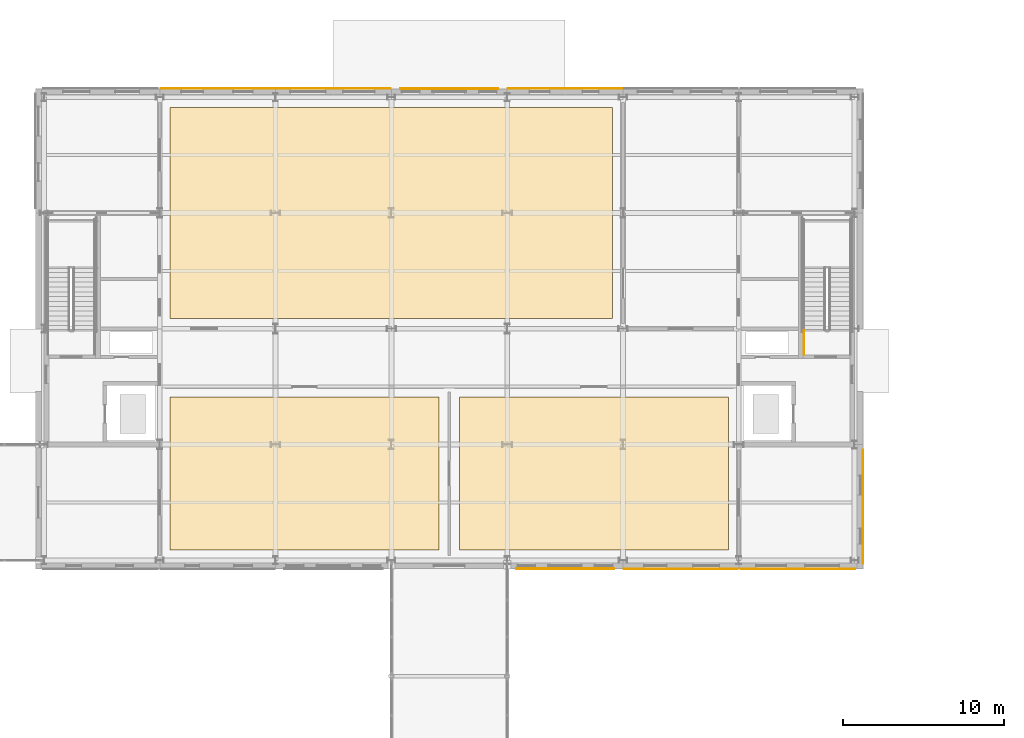
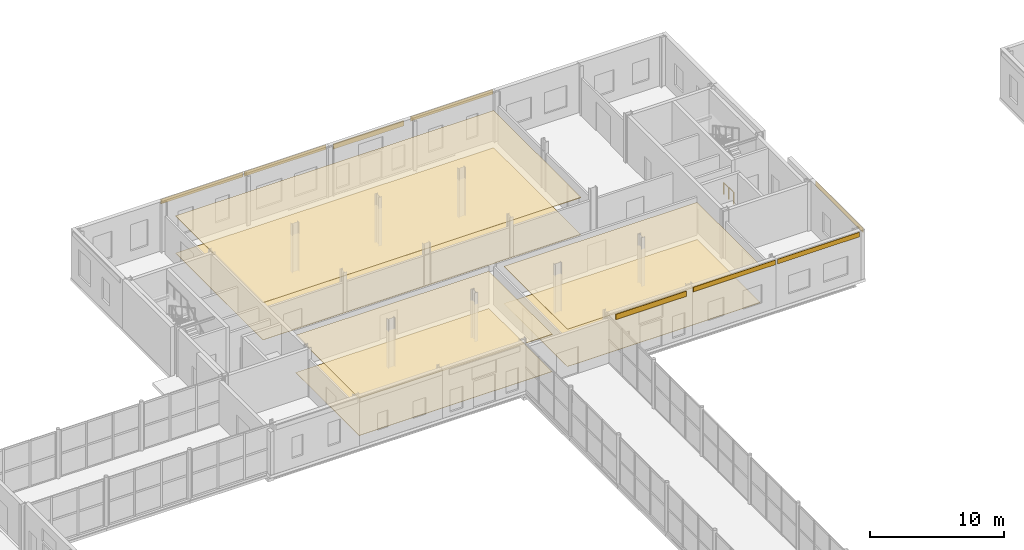
# One storey, part 83 of 92: 14 coverings, 1 railing.
"""IFC4 building model written with IfcOpenShell, lengths in metres."""

from ifc_helpers import new_model, si_unit, direction, frame, origin, origin_2d, place, context, subcontext, project, spatial, polyline, rectangle, circle, outline, extrude, material, layer, layer_set, type_object, element, save


model = new_model("IFC4")

# Units and contexts
model_context = context("Model", 3, precision=1e-05, world=origin(), true_north=direction((0.0, 1.0)))
body_context = subcontext(model_context, "Body", "Model", "MODEL_VIEW")
ifc_project = project(units=[si_unit("LENGTHUNIT", "METRE"), si_unit("AREAUNIT", "SQUARE_METRE"), si_unit("VOLUMEUNIT", "CUBIC_METRE"), si_unit("PLANEANGLEUNIT", "RADIAN"), si_unit("MASSUNIT", "GRAM", prefix="KILO")], contexts=[model_context])

# Site, building, storey
site_placement = place(None, origin())
site = spatial("IfcSite", under=ifc_project, at=site_placement, CompositionType="ELEMENT")
building_placement = place(site_placement, origin())
building = spatial("IfcBuilding", under=site, at=building_placement, Name="Zlatovets Crest Museum", CompositionType="ELEMENT")
storey_placement = place(building_placement, origin())
storey = spatial("IfcBuildingStorey", under=building, at=storey_placement, Name="L00", CompositionType="ELEMENT", Elevation=0.0)

# Coverings
ifc_material_1 = material(Name="Honed Vratsa limestone and terrazzo museum floor", Category="masonry")
ifc_layer_1 = layer(ifc_material_1, 0.0400390625)
ifc_layer_set_1 = layer_set([ifc_layer_1], Name="Honed Vratsa limestone and terrazzo museum floor")
covering_type_1 = type_object("IfcCoveringType", Name="AtriumFloor_FLR2", PredefinedType="FLOORING", material=ifc_layer_set_1)
covering_1_placement = place(storey_placement, origin())
element("IfcCovering", 1, at=covering_1_placement, inside=storey, type_object=covering_type_1, Name="Sculpture Court North Foyer Floor Finish", PredefinedType="FLOORING", context=body_context, shape_type="SweptSolid", body=[
    extrude(outline(polyline([(65.449951171875, 87.050048828125), (82.14990234375, 87.050048828125), (82.14990234375, 96.550048828125), (65.449951171875, 96.550048828125), (65.449951171875, 87.050048828125)])), origin(), (0.0, 0.0, 1.0), 0.030029296875),
])
ifc_material_2 = material(Name="Micro-perforated gypsum acoustic gallery ceiling")
ifc_layer_2 = layer(ifc_material_2, 0.050048828125)
ifc_layer_set_2 = layer_set([ifc_layer_2], Name="Micro-perforated gypsum acoustic gallery ceiling")
covering_type_2 = type_object("IfcCoveringType", Name="GalleryCeiling_CLG1", PredefinedType="CEILING", material=ifc_layer_set_2)
covering_2_placement = place(storey_placement, frame((0.0, 0.0, 3.389892578125)))
element("IfcCovering", 2, at=covering_2_placement, inside=storey, type_object=covering_type_2, Name="Sculpture Court North Foyer Acoustic Ceiling", PredefinedType="CEILING", context=body_context, shape_type="SweptSolid", body=[
    extrude(outline(polyline([(65.449951171875, 87.050048828125), (82.14990234375, 87.050048828125), (82.14990234375, 96.550048828125), (65.449951171875, 96.550048828125), (65.449951171875, 87.050048828125)])), origin(), (0.0, 0.0, 1.0), 0.050048828125),
])
covering_3_placement = place(storey_placement, frame((0.0, 0.0, 3.389892578125)))
element("IfcCovering", 3, at=covering_3_placement, inside=storey, type_object=covering_type_2, Name="Rhodope Mineralogy and Crystal Gallery Acoustic Ceiling", PredefinedType="CEILING", context=body_context, shape_type="SweptSolid", body=[
    extrude(outline(polyline([(83.449951171875, 87.050048828125), (100.14990234375, 87.050048828125), (100.14990234375, 96.550048828125), (83.449951171875, 96.550048828125), (83.449951171875, 87.050048828125)])), origin(), (0.0, 0.0, 1.0), 0.050048828125),
])
covering_4_placement = place(storey_placement, frame((0.0, 0.0, 3.389892578125)))
element("IfcCovering", 4, at=covering_4_placement, inside=storey, type_object=covering_type_2, Name="Balkan Natural Heritage Gallery Acoustic Ceiling", PredefinedType="CEILING", context=body_context, shape_type="SweptSolid", body=[
    extrude(outline(polyline([(65.449951171875, 101.449951171875), (92.949951171875, 101.449951171875), (92.949951171875, 114.550048828125), (65.449951171875, 114.550048828125), (65.449951171875, 101.449951171875)])), origin(), (0.0, 0.0, 1.0), 0.050048828125),
])
ifc_material_3 = material(Name="Quarter-sawn European oak herringbone gallery parquet")
ifc_layer_3 = layer(ifc_material_3, 0.030029296875)
ifc_layer_set_3 = layer_set([ifc_layer_3], Name="Quarter-sawn European oak herringbone gallery parquet")
covering_type_3 = type_object("IfcCoveringType", Name="GalleryFloor_FLR1", PredefinedType="FLOORING", material=ifc_layer_set_3)
covering_5_placement = place(storey_placement, origin())
element("IfcCovering", 5, at=covering_5_placement, inside=storey, type_object=covering_type_3, Name="Rhodope Mineralogy and Crystal Gallery Floor Finish", PredefinedType="FLOORING", context=body_context, shape_type="SweptSolid", body=[
    extrude(outline(polyline([(83.449951171875, 87.050048828125), (100.14990234375, 87.050048828125), (100.14990234375, 96.550048828125), (83.449951171875, 96.550048828125), (83.449951171875, 87.050048828125)])), origin(), (0.0, 0.0, 1.0), 0.030029296875),
])
covering_6_placement = place(storey_placement, origin())
element("IfcCovering", 6, at=covering_6_placement, inside=storey, type_object=covering_type_3, Name="Balkan Natural Heritage Gallery Floor Finish", PredefinedType="FLOORING", context=body_context, shape_type="SweptSolid", body=[
    extrude(outline(polyline([(65.449951171875, 101.449951171875), (92.949951171875, 101.449951171875), (92.949951171875, 114.550048828125), (65.449951171875, 114.550048828125), (65.449951171875, 101.449951171875)])), origin(), (0.0, 0.0, 1.0), 0.030029296875),
])
ifc_material_4 = material(Name="Polychrome turquoise-gold glazed majolica ceramic frieze")
ifc_layer_4 = layer(ifc_material_4, 0.0400390625)
ifc_layer_set_4 = layer_set([ifc_layer_4], Name="Polychrome turquoise-gold glazed majolica ceramic frieze")
covering_type_4 = type_object("IfcCoveringType", Name="MajolicaFrieze_CL01", PredefinedType="CLADDING", material=ifc_layer_set_4)
covering_7_placement = place(storey_placement, frame((90.0, 85.8798828125, 3.81005859375), z_axis=(0.0, 0.0, 1.0), x_axis=(1.0, 0.0, 0.0)))
element("IfcCovering", 7, at=covering_7_placement, inside=storey, type_object=covering_type_4, Name="Art Nouveau Portal Secession Archivolt Crown", PredefinedType="CLADDING", context=body_context, shape_type="SweptSolid", body=[
    extrude(rectangle(XDim=6.10009765625, YDim=0.06005859375, at=origin_2d()), origin(), (0.0, 0.0, 1.0), 0.47998046875),
])
for number, where, z_axis, x_axis, name in (
    (8, (97.199951171875, 85.8701171875, 4.010009765625), (0.0, 0.0, 1.0), (1.0, 0.0, 0.0), "Sofia Secession Majolica Plinth Frieze"),
    (9, (104.482421875, 85.8701171875, 4.010009765625), (0.0, 0.0, 1.0), (1.0, 0.0, 0.0), "Sofia Secession Majolica Plinth Frieze"),
    (10, (108.530029296875, 89.742431640625, 4.010009765625), (0.0, 0.0, 1.0), (0.0, 1.0, 0.0), "Sofia Secession Majolica Plinth Frieze"),
    (11, (90.0, 115.72998046875, 4.010009765625), (0.0, 0.0, 1.0), (1.0, 0.0, 0.0), "Sofia Secession Majolica Plinth Frieze"),
):
    element("IfcCovering", number, at=place(storey_placement, frame(where, z_axis=z_axis, x_axis=x_axis)), inside=storey, type_object=covering_type_4, Name=name, PredefinedType="CLADDING", context=body_context, shape_type="SweptSolid", body=[
        extrude(rectangle(XDim=7.10009765625, YDim=0.0400390625, at=origin_2d()), origin(), (0.0, 0.0, 1.0), 0.419921875),
    ])
covering_8_placement = place(storey_placement, frame((82.800048828125, 115.719970703125, 3.81005859375), z_axis=(0.0, 0.0, 1.0), x_axis=(1.0, 0.0, 0.0)))
element("IfcCovering", 12, at=covering_8_placement, inside=storey, type_object=covering_type_4, Name="Art Nouveau Portal Secession Archivolt Crown", PredefinedType="CLADDING", context=body_context, shape_type="SweptSolid", body=[
    extrude(rectangle(XDim=6.10009765625, YDim=0.06005859375, at=origin_2d()), origin(), (0.0, 0.0, 1.0), 0.47998046875),
])
for number, where, z_axis, x_axis, name in (
    (13, (75.60009765625, 115.72998046875, 4.010009765625), (0.0, 0.0, 1.0), (1.0, 0.0, 0.0), "Sofia Secession Majolica Plinth Frieze"),
    (14, (68.39990234375, 115.72998046875, 4.010009765625), (0.0, 0.0, 1.0), (1.0, 0.0, 0.0), "Sofia Secession Majolica Plinth Frieze"),
):
    element("IfcCovering", number, at=place(storey_placement, frame(where, z_axis=z_axis, x_axis=x_axis)), inside=storey, type_object=covering_type_4, Name=name, PredefinedType="CLADDING", context=body_context, shape_type="SweptSolid", body=[
        extrude(rectangle(XDim=7.10009765625, YDim=0.0400390625, at=origin_2d()), origin(), (0.0, 0.0, 1.0), 0.419921875),
    ])

# Railing
ifc_material_5 = material(Name="Painted steel safety guardrail", Category="steel")
railing_type = type_object("IfcRailingType", Name="StairGuard_SG01", PredefinedType="GUARDRAIL", material=ifc_material_5)
railing_placement = place(storey_placement, frame((104.85009765625, 99.199951171875, 0.0)))
element("IfcRailing", 15, at=railing_placement, inside=storey, type_object=railing_type, Name="L00 ST7 stair guard 8", PredefinedType="GUARDRAIL", context=body_context, shape_type="SweptSolid", body=[
    extrude(circle(Radius=0.02392578125, at=origin_2d()), frame((0.0, 0.0, 1.076171875), z_axis=(0.0, 1.0, 0.0), x_axis=(-1.0, 0.0, 0.0)), (0.0, 0.0, 1.0), 1.5),
    extrude(circle(Radius=0.02099609375, at=origin_2d()), origin(), (0.0, 0.0, 1.0), 1.052001953125),
    extrude(circle(Radius=0.02099609375, at=origin_2d()), frame((0.0, 0.75, 0.0)), (0.0, 0.0, 1.0), 1.052001953125),
    extrude(circle(Radius=0.02099609375, at=origin_2d()), frame((0.0, 1.5, 0.0)), (0.0, 0.0, 1.0), 1.052001953125),
])

save(model, "model.ifc")
